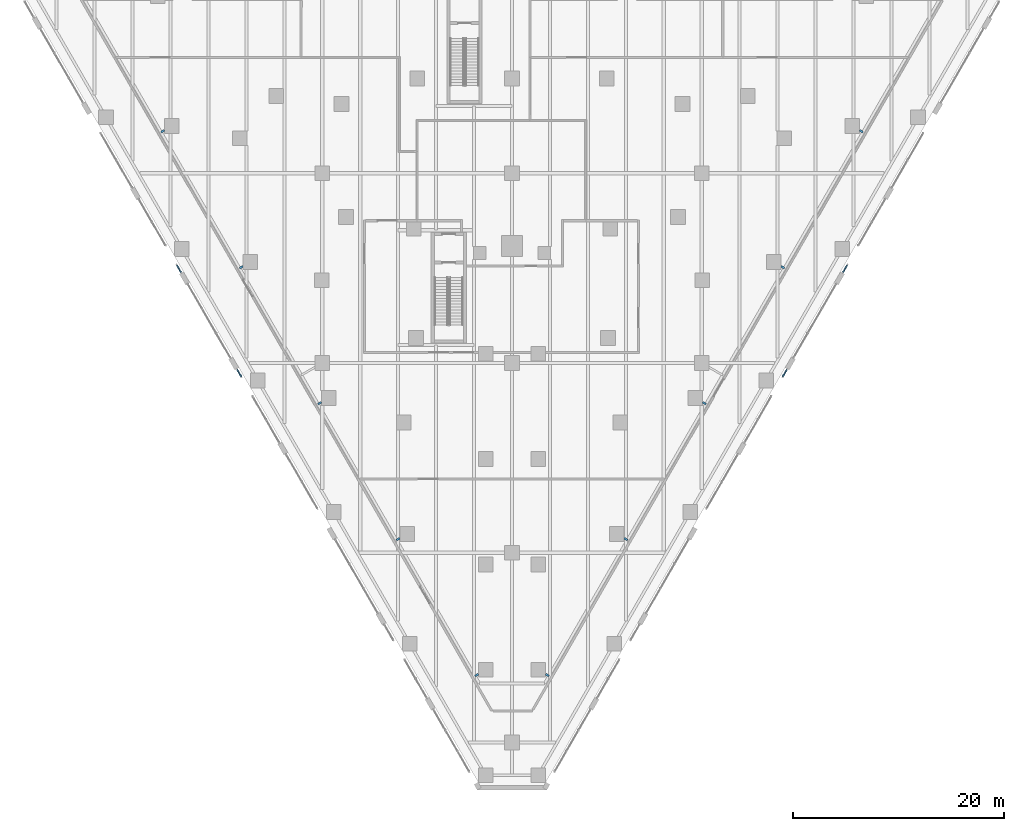
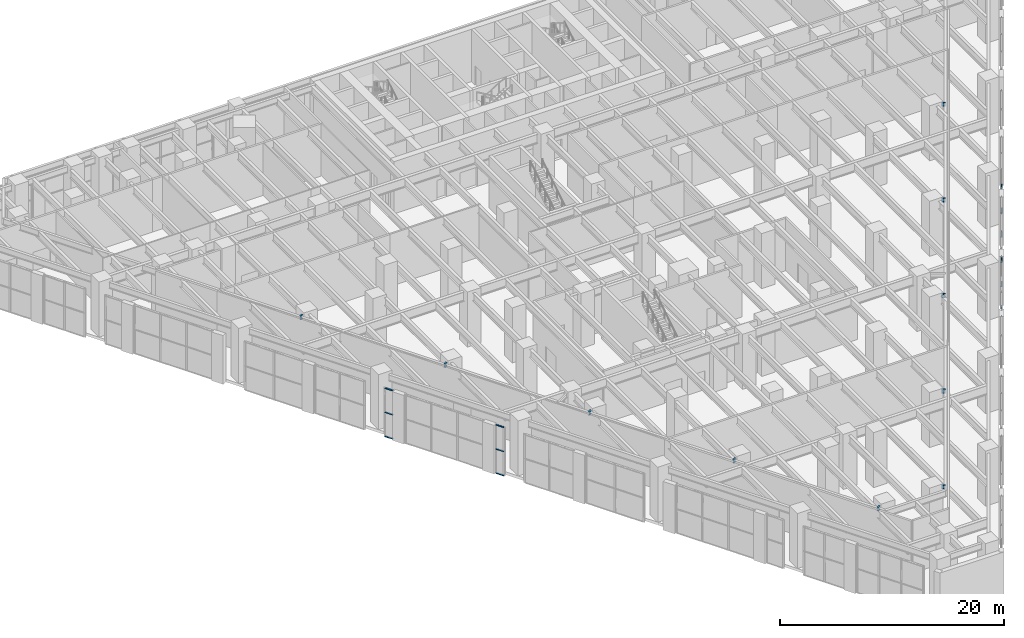
# One storey, part 22 of 37: 12 members, 10 beams, 4 elements without a shape of their own.
"""IFC4 building model written with IfcOpenShell, lengths in metres."""

from ifc_helpers import new_model, si_unit, direction, frame, origin, origin_2d, place, context, subcontext, project, spatial, rectangle, i_section, extrude, material, material_profile, profile_set, type_object, element, aggregate, save


model = new_model("IFC4")

# Units and contexts
model_context = context("Model", 3, precision=1e-05, world=origin(), true_north=direction((0.0, 1.0)))
body_context = subcontext(model_context, "Body", "Model", "MODEL_VIEW")
ifc_project = project(units=[si_unit("LENGTHUNIT", "METRE"), si_unit("AREAUNIT", "SQUARE_METRE"), si_unit("VOLUMEUNIT", "CUBIC_METRE"), si_unit("PLANEANGLEUNIT", "RADIAN"), si_unit("MASSUNIT", "GRAM", prefix="KILO")], contexts=[model_context])

# Site, building, storey
site_placement = place(None, origin())
site = spatial("IfcSite", under=ifc_project, at=site_placement, CompositionType="ELEMENT")
building_placement = place(site_placement, origin())
building = spatial("IfcBuilding", under=site, at=building_placement, Name="Aloe Facet Convention Tower", CompositionType="ELEMENT")
storey_placement = place(building_placement, frame((0.0, 0.0, 7.5)))
storey = spatial("IfcBuildingStorey", under=building, at=storey_placement, Name="L01", CompositionType="ELEMENT", Elevation=7.5)

# Beams
ifc_material_1 = material(Name="Steel S355", Category="steel")
ifc_material_profile_1 = material_profile(ifc_material_1, i_section(OverallWidth=0.177734375, OverallDepth=0.402587890625, WebThickness=0.0078125, FlangeThickness=0.010986328125, FilletRadius=0.01025390625, at=origin_2d()), Name="UB 406x178x54")
ifc_profile_set_1 = profile_set([ifc_material_profile_1], Name="Steel S355")
beam_type = type_object("IfcBeamType", Name="EV-BR-UB406x178x54", PredefinedType="BEAM", material=ifc_profile_set_1)
beam_1_placement = place(storey_placement, frame((47.01806640625, 103.080810546875, 5.498779296875), z_axis=(-0.866229887226, -0.499645656918, 0.0), x_axis=(0.499645656918, -0.866229887226, 0.0)))
element("IfcBeam", 1, at=beam_1_placement, inside=storey, type_object=beam_type, Name="EB-L02-W-BR04", PredefinedType="BEAM", context=body_context, shape_type="SweptSolid", body=[
    extrude(i_section(OverallWidth=0.177734375, OverallDepth=0.402587890625, WebThickness=0.0078125, FlangeThickness=0.010986328125, FilletRadius=0.01025390625, at=origin_2d()), origin(), (0.0, 0.0, 1.0), 0.366943359375),
])
beam_2_placement = place(storey_placement, frame((54.465087890625, 90.180908203125, 5.498779296875), z_axis=(-0.866019052629, -0.500011000363, 0.0), x_axis=(0.500011000363, -0.866019052629, 0.0)))
element("IfcBeam", 2, at=beam_2_placement, inside=storey, type_object=beam_type, Name="EB-L02-W-BR05", PredefinedType="BEAM", context=body_context, shape_type="SweptSolid", body=[
    extrude(i_section(OverallWidth=0.177734375, OverallDepth=0.402587890625, WebThickness=0.0078125, FlangeThickness=0.010986328125, FilletRadius=0.01025390625, at=origin_2d()), origin(), (0.0, 0.0, 1.0), 0.3662109375),
])
for number, where, z_axis, x_axis, name in (
    (3, (61.9130859375, 77.281982421875, 5.498779296875), (-0.865941888956, -0.500144624036, 0.0), (0.500144624036, -0.865941888956, 0.0), "EB-L02-W-BR06"),
    (4, (69.361083984375, 64.3818359375, 5.498779296875), (-0.865941888956, -0.500144624036, 0.0), (0.500144624036, -0.865941888956, 0.0), "EB-L02-W-BR07"),
):
    element("IfcBeam", number, at=place(storey_placement, frame(where, z_axis=z_axis, x_axis=x_axis)), inside=storey, type_object=beam_type, Name=name, PredefinedType="BEAM", context=body_context, shape_type="SweptSolid", body=[
        extrude(i_section(OverallWidth=0.177734375, OverallDepth=0.402587890625, WebThickness=0.0078125, FlangeThickness=0.010986328125, FilletRadius=0.01025390625, at=origin_2d()), origin(), (0.0, 0.0, 1.0), 0.3671875),
    ])
beam_3_placement = place(storey_placement, frame((76.80810546875, 51.48193359375, 5.498779296875), z_axis=(-0.865897129857, -0.500222111171, 0.0), x_axis=(0.500222111171, -0.865897129857, 0.0)))
element("IfcBeam", 5, at=beam_3_placement, inside=storey, type_object=beam_type, Name="EB-L02-W-BR08", PredefinedType="BEAM", context=body_context, shape_type="SweptSolid", body=[
    extrude(i_section(OverallWidth=0.177734375, OverallDepth=0.402587890625, WebThickness=0.0078125, FlangeThickness=0.010986328125, FilletRadius=0.01025390625, at=origin_2d()), origin(), (0.0, 0.0, 1.0), 0.366455078125),
])
beam_4_placement = place(storey_placement, frame((105.534912109375, 90.180908203125, 5.498779296875), z_axis=(0.866019052629, -0.500011000363, 0.0), x_axis=(0.500011000363, 0.866019052629, 0.0)))
element("IfcBeam", 6, at=beam_4_placement, inside=storey, type_object=beam_type, Name="EB-L02-E-BR02", PredefinedType="BEAM", context=body_context, shape_type="SweptSolid", body=[
    extrude(i_section(OverallWidth=0.177734375, OverallDepth=0.402587890625, WebThickness=0.0078125, FlangeThickness=0.010986328125, FilletRadius=0.01025390625, at=origin_2d()), origin(), (0.0, 0.0, 1.0), 0.3662109375),
])
beam_5_placement = place(storey_placement, frame((112.98193359375, 103.080810546875, 5.498779296875), z_axis=(0.866229887226, -0.499645656918, 0.0), x_axis=(0.499645656918, 0.866229887226, 0.0)))
element("IfcBeam", 7, at=beam_5_placement, inside=storey, type_object=beam_type, Name="EB-L02-E-BR03", PredefinedType="BEAM", context=body_context, shape_type="SweptSolid", body=[
    extrude(i_section(OverallWidth=0.177734375, OverallDepth=0.402587890625, WebThickness=0.0078125, FlangeThickness=0.010986328125, FilletRadius=0.01025390625, at=origin_2d()), origin(), (0.0, 0.0, 1.0), 0.366943359375),
])
beam_6_placement = place(storey_placement, frame((83.19189453125, 51.48193359375, 5.498779296875), z_axis=(0.865897129857, -0.500222111171, 0.0), x_axis=(0.500222111171, 0.865897129857, 0.0)))
element("IfcBeam", 8, at=beam_6_placement, inside=storey, type_object=beam_type, Name="EB-L02-E-BR06", PredefinedType="BEAM", context=body_context, shape_type="SweptSolid", body=[
    extrude(i_section(OverallWidth=0.177734375, OverallDepth=0.402587890625, WebThickness=0.0078125, FlangeThickness=0.010986328125, FilletRadius=0.01025390625, at=origin_2d()), origin(), (0.0, 0.0, 1.0), 0.366455078125),
])
for number, where, z_axis, x_axis, name in (
    (9, (90.638916015625, 64.3818359375, 5.498779296875), (0.865941888956, -0.500144624036, 0.0), (0.500144624036, 0.865941888956, 0.0), "EB-L02-E-BR07"),
    (10, (98.0869140625, 77.281982421875, 5.498779296875), (0.865941888956, -0.500144624036, 0.0), (0.500144624036, 0.865941888956, 0.0), "EB-L02-E-BR08"),
):
    element("IfcBeam", number, at=place(storey_placement, frame(where, z_axis=z_axis, x_axis=x_axis)), inside=storey, type_object=beam_type, Name=name, PredefinedType="BEAM", context=body_context, shape_type="SweptSolid", body=[
        extrude(i_section(OverallWidth=0.177734375, OverallDepth=0.402587890625, WebThickness=0.0078125, FlangeThickness=0.010986328125, FilletRadius=0.01025390625, at=origin_2d()), origin(), (0.0, 0.0, 1.0), 0.3671875),
    ])

# Curtain wall, members
ifc_material_2 = material(Name="Aluminium, anodised", Category="aluminium")
curtain_wall_type = type_object("IfcCurtainWallType", Name="EV-CW-SHOP", PredefinedType="USERDEFINED", material=ifc_material_2)
curtain_wall_1_placement = place(storey_placement, origin())
curtain_wall_1 = element("IfcCurtainWall", 11, at=curtain_wall_1_placement, inside=storey, type_object=curtain_wall_type, Name="CW-L01-W10-2", ObjectType="STICK SHOPFRONT GLAZING", PredefinedType="USERDEFINED")
ifc_material_3 = material(Name="Aluminium, anodised", Category="aluminium")
ifc_material_profile_2 = material_profile(ifc_material_3, rectangle(XDim=0.1201171875, YDim=0.06005859375, at=origin_2d()), Name="AL 120x60")
ifc_profile_set_2 = profile_set([ifc_material_profile_2], Name="Aluminium, anodised")
member_type = type_object("IfcMemberType", Name="EV-TRAN-SHOP", PredefinedType="USERDEFINED", material=ifc_profile_set_2)
member_1_placement = place(storey_placement, frame((48.198974609375, 90.301513671875, -0.27001953125), z_axis=(0.500125724882, -0.865952804321, 0.0), x_axis=(0.865952804321, 0.500125724882, 0.0)))
member_1 = element("IfcMember", 12, at=member_1_placement, type_object=member_type, Name="CW-L01-W10-2 transom 1.1", ObjectType="TRANSOM", PredefinedType="USERDEFINED", context=body_context, shape_type="SweptSolid", body=[
    extrude(rectangle(XDim=0.1201171875, YDim=0.06005859375, at=origin_2d()), origin(), (0.0, 0.0, 1.0), 0.803466796875),
])
member_2_placement = place(storey_placement, frame((48.198974609375, 90.301513671875, 2.356201171875), z_axis=(0.500125724882, -0.865952804321, 0.0), x_axis=(0.865952804321, 0.500125724882, 0.0)))
member_2 = element("IfcMember", 13, at=member_2_placement, type_object=member_type, Name="CW-L01-W10-2 transom 1.2", ObjectType="TRANSOM", PredefinedType="USERDEFINED", context=body_context, shape_type="SweptSolid", body=[
    extrude(rectangle(XDim=0.1201171875, YDim=0.06005859375, at=origin_2d()), origin(), (0.0, 0.0, 1.0), 0.803466796875),
])
member_3_placement = place(storey_placement, frame((48.198974609375, 90.301513671875, 4.982421875), z_axis=(0.500125724882, -0.865952804321, 0.0), x_axis=(0.865952804321, 0.500125724882, 0.0)))
member_3 = element("IfcMember", 14, at=member_3_placement, type_object=member_type, Name="CW-L01-W10-2 transom 1.3", ObjectType="TRANSOM", PredefinedType="USERDEFINED", context=body_context, shape_type="SweptSolid", body=[
    extrude(rectangle(XDim=0.1201171875, YDim=0.06005859375, at=origin_2d()), origin(), (0.0, 0.0, 1.0), 0.803466796875),
])
aggregate(curtain_wall_1, [member_1, member_2, member_3])

curtain_wall_2_placement = place(storey_placement, origin())
curtain_wall_2 = element("IfcCurtainWall", 15, at=curtain_wall_2_placement, inside=storey, type_object=curtain_wall_type, Name="CW-L01-W14-1", ObjectType="STICK SHOPFRONT GLAZING", PredefinedType="USERDEFINED")
member_4_placement = place(storey_placement, frame((53.92138671875, 80.389892578125, -0.27001953125), z_axis=(0.500161084269, -0.865932381761, 0.0), x_axis=(0.865932381761, 0.500161084269, 0.0)))
member_4 = element("IfcMember", 16, at=member_4_placement, type_object=member_type, Name="CW-L01-W14-1 transom 1.1", ObjectType="TRANSOM", PredefinedType="USERDEFINED", context=body_context, shape_type="SweptSolid", body=[
    extrude(rectangle(XDim=0.1201171875, YDim=0.06005859375, at=origin_2d()), origin(), (0.0, 0.0, 1.0), 0.802978515625),
])
member_5_placement = place(storey_placement, frame((53.92138671875, 80.389892578125, 2.356201171875), z_axis=(0.500161084269, -0.865932381761, 0.0), x_axis=(0.865932381761, 0.500161084269, 0.0)))
member_5 = element("IfcMember", 17, at=member_5_placement, type_object=member_type, Name="CW-L01-W14-1 transom 1.2", ObjectType="TRANSOM", PredefinedType="USERDEFINED", context=body_context, shape_type="SweptSolid", body=[
    extrude(rectangle(XDim=0.1201171875, YDim=0.06005859375, at=origin_2d()), origin(), (0.0, 0.0, 1.0), 0.802978515625),
])
member_6_placement = place(storey_placement, frame((53.92138671875, 80.389892578125, 4.982421875), z_axis=(0.500161084269, -0.865932381761, 0.0), x_axis=(0.865932381761, 0.500161084269, 0.0)))
member_6 = element("IfcMember", 18, at=member_6_placement, type_object=member_type, Name="CW-L01-W14-1 transom 1.3", ObjectType="TRANSOM", PredefinedType="USERDEFINED", context=body_context, shape_type="SweptSolid", body=[
    extrude(rectangle(XDim=0.1201171875, YDim=0.06005859375, at=origin_2d()), origin(), (0.0, 0.0, 1.0), 0.802978515625),
])
aggregate(curtain_wall_2, [member_4, member_5, member_6])

curtain_wall_3_placement = place(storey_placement, origin())
curtain_wall_3 = element("IfcCurtainWall", 19, at=curtain_wall_3_placement, inside=storey, type_object=curtain_wall_type, Name="CW-L01-E10-2", ObjectType="STICK SHOPFRONT GLAZING", PredefinedType="USERDEFINED")
member_7_placement = place(storey_placement, frame((105.677001953125, 79.694580078125, -0.27001953125), z_axis=(0.500161084269, 0.865932381761, 0.0), x_axis=(-0.865932381761, 0.500161084269, 0.0)))
member_7 = element("IfcMember", 20, at=member_7_placement, type_object=member_type, Name="CW-L01-E10-2 transom 1.1", ObjectType="TRANSOM", PredefinedType="USERDEFINED", context=body_context, shape_type="SweptSolid", body=[
    extrude(rectangle(XDim=0.1201171875, YDim=0.06005859375, at=origin_2d()), origin(), (0.0, 0.0, 1.0), 0.802978515625),
])
member_8_placement = place(storey_placement, frame((105.677001953125, 79.694580078125, 2.356201171875), z_axis=(0.500161084269, 0.865932381761, 0.0), x_axis=(-0.865932381761, 0.500161084269, 0.0)))
member_8 = element("IfcMember", 21, at=member_8_placement, type_object=member_type, Name="CW-L01-E10-2 transom 1.2", ObjectType="TRANSOM", PredefinedType="USERDEFINED", context=body_context, shape_type="SweptSolid", body=[
    extrude(rectangle(XDim=0.1201171875, YDim=0.06005859375, at=origin_2d()), origin(), (0.0, 0.0, 1.0), 0.802978515625),
])
member_9_placement = place(storey_placement, frame((105.677001953125, 79.694580078125, 4.982421875), z_axis=(0.500161084269, 0.865932381761, 0.0), x_axis=(-0.865932381761, 0.500161084269, 0.0)))
member_9 = element("IfcMember", 22, at=member_9_placement, type_object=member_type, Name="CW-L01-E10-2 transom 1.3", ObjectType="TRANSOM", PredefinedType="USERDEFINED", context=body_context, shape_type="SweptSolid", body=[
    extrude(rectangle(XDim=0.1201171875, YDim=0.06005859375, at=origin_2d()), origin(), (0.0, 0.0, 1.0), 0.802978515625),
])
aggregate(curtain_wall_3, [member_7, member_8, member_9])

curtain_wall_4_placement = place(storey_placement, origin())
curtain_wall_4 = element("IfcCurtainWall", 23, at=curtain_wall_4_placement, inside=storey, type_object=curtain_wall_type, Name="CW-L01-E14-1", ObjectType="STICK SHOPFRONT GLAZING", PredefinedType="USERDEFINED")
member_10_placement = place(storey_placement, frame((111.399169921875, 89.605712890625, -0.27001953125), z_axis=(0.500125724882, 0.865952804321, 0.0), x_axis=(-0.865952804321, 0.500125724882, 0.0)))
member_10 = element("IfcMember", 24, at=member_10_placement, type_object=member_type, Name="CW-L01-E14-1 transom 1.1", ObjectType="TRANSOM", PredefinedType="USERDEFINED", context=body_context, shape_type="SweptSolid", body=[
    extrude(rectangle(XDim=0.1201171875, YDim=0.06005859375, at=origin_2d()), origin(), (0.0, 0.0, 1.0), 0.803466796875),
])
member_11_placement = place(storey_placement, frame((111.399169921875, 89.605712890625, 2.356201171875), z_axis=(0.500125724882, 0.865952804321, 0.0), x_axis=(-0.865952804321, 0.500125724882, 0.0)))
member_11 = element("IfcMember", 25, at=member_11_placement, type_object=member_type, Name="CW-L01-E14-1 transom 1.2", ObjectType="TRANSOM", PredefinedType="USERDEFINED", context=body_context, shape_type="SweptSolid", body=[
    extrude(rectangle(XDim=0.1201171875, YDim=0.06005859375, at=origin_2d()), origin(), (0.0, 0.0, 1.0), 0.803466796875),
])
member_12_placement = place(storey_placement, frame((111.399169921875, 89.605712890625, 4.982421875), z_axis=(0.500125724882, 0.865952804321, 0.0), x_axis=(-0.865952804321, 0.500125724882, 0.0)))
member_12 = element("IfcMember", 26, at=member_12_placement, type_object=member_type, Name="CW-L01-E14-1 transom 1.3", ObjectType="TRANSOM", PredefinedType="USERDEFINED", context=body_context, shape_type="SweptSolid", body=[
    extrude(rectangle(XDim=0.1201171875, YDim=0.06005859375, at=origin_2d()), origin(), (0.0, 0.0, 1.0), 0.803466796875),
])
aggregate(curtain_wall_4, [member_10, member_11, member_12])

save(model, "model.ifc")
